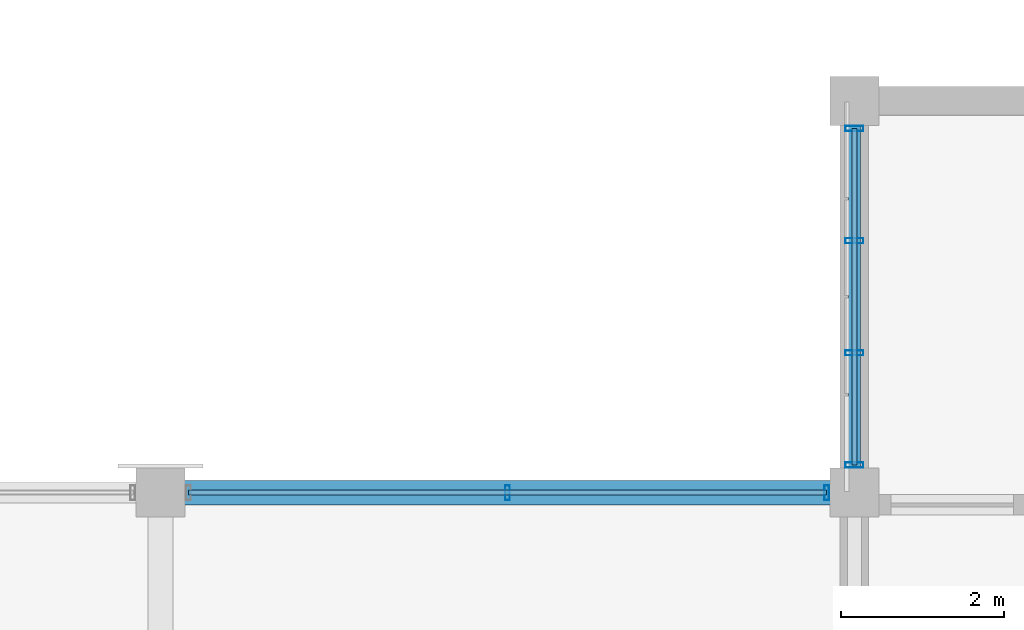
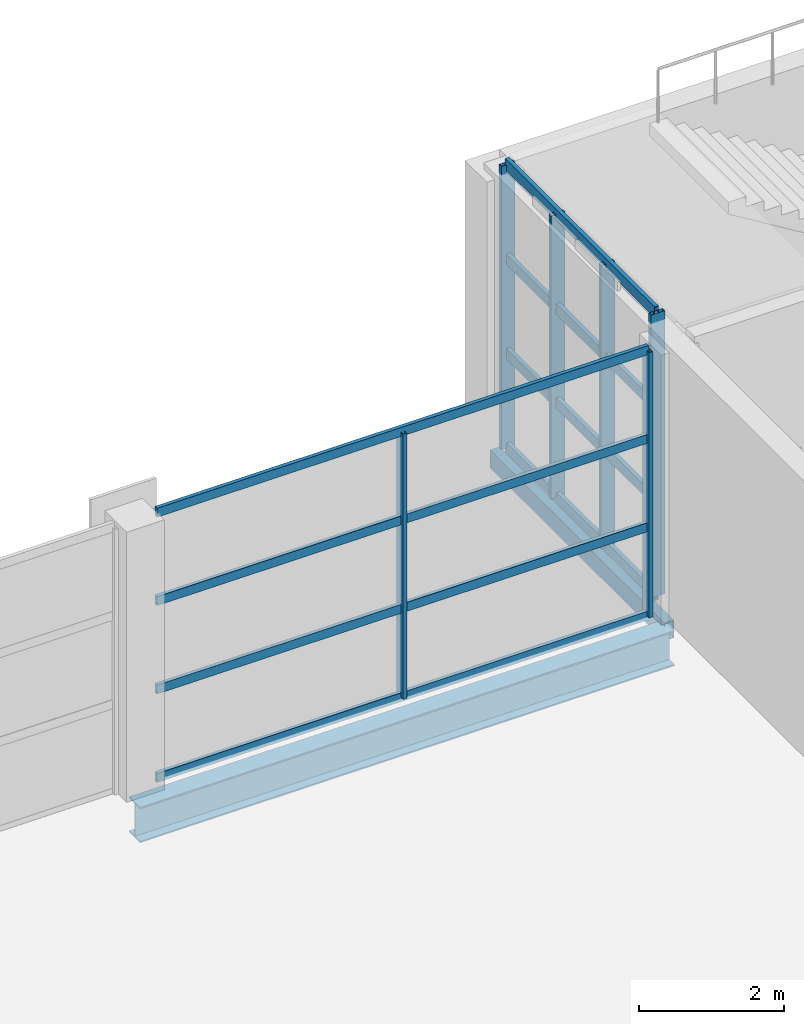
# One storey, part 17 of 46: 14 members, 2 beams, 2 elements without a shape of their own.
"""IFC4 building model written with IfcOpenShell, lengths in metres."""

from ifc_helpers import new_model, si_unit, direction, frame, origin, origin_2d, place, context, subcontext, project, spatial, hollow_rectangle, i_section, extrude, material, material_profile, profile_set, type_object, element, aggregate, save


model = new_model("IFC4")

# Units and contexts
model_context = context("Model", 3, precision=1e-05, world=origin(), true_north=direction((0.0, 1.0)))
body_context = subcontext(model_context, "Body", "Model", "MODEL_VIEW")
ifc_project = project(units=[si_unit("LENGTHUNIT", "METRE"), si_unit("AREAUNIT", "SQUARE_METRE"), si_unit("VOLUMEUNIT", "CUBIC_METRE"), si_unit("PLANEANGLEUNIT", "RADIAN"), si_unit("MASSUNIT", "GRAM", prefix="KILO")], contexts=[model_context])

# Site, building, storey
site_placement = place(None, origin())
site = spatial("IfcSite", under=ifc_project, at=site_placement, CompositionType="ELEMENT")
building_placement = place(site_placement, origin())
building = spatial("IfcBuilding", under=site, at=building_placement, Name="Solvikara Media Centre", CompositionType="ELEMENT")
storey_placement = place(building_placement, frame((0.0, 0.0, 24.60009765625)))
storey = spatial("IfcBuildingStorey", under=building, at=storey_placement, Name="L05", CompositionType="ELEMENT", Elevation=24.60009765625)

# Beams
ifc_material_1 = material(Name="Steel S355JR", Category="steel")
ifc_material_profile_1 = material_profile(ifc_material_1, hollow_rectangle(XDim=0.14990234375, YDim=0.300048828125, WallThickness=0.010009765625, at=origin_2d()), Name="RHS 300x150x10")
ifc_profile_set_1 = profile_set([ifc_material_profile_1], Name="Steel S355JR")
beam_type_1 = type_object("IfcBeamType", Name="BM-35", PredefinedType="BEAM", material=ifc_profile_set_1)
beam_1_placement = place(storey_placement, frame((68.0, 32.0, -0.3720703125), z_axis=(0.0, 1.0, 0.0), x_axis=(-1.0, 0.0, 0.0)))
element("IfcBeam", 1, at=beam_1_placement, inside=storey, type_object=beam_type_1, Name="B-L05-Y1667", PredefinedType="BEAM", context=body_context, shape_type="SweptSolid", body=[
    extrude(hollow_rectangle(XDim=0.14990234375, YDim=0.300048828125, WallThickness=0.010009765625, at=origin_2d()), origin(), (0.0, 0.0, 1.0), 4.800048828125),
])
ifc_material_profile_2 = material_profile(ifc_material_1, i_section(OverallWidth=0.302001953125, OverallDepth=0.593994140625, WebThickness=0.013916015625, FlangeThickness=0.02294921875, at=origin_2d()), Name="H 594x302x14x23")
ifc_profile_set_2 = profile_set([ifc_material_profile_2], Name="Steel S355JR")
beam_type_2 = type_object("IfcBeamType", Name="BM-41", PredefinedType="BEAM", material=ifc_profile_set_2)
beam_2_placement = place(storey_placement, frame((59.5, 32.0, -0.5791015625), z_axis=(1.0, 0.0, 0.0), x_axis=(0.0, 1.0, 0.0)))
element("IfcBeam", 2, at=beam_2_placement, inside=storey, type_object=beam_type_2, Name="B-L05-X1649", PredefinedType="BEAM", context=body_context, shape_type="SweptSolid", body=[
    extrude(i_section(OverallWidth=0.302001953125, OverallDepth=0.593994140625, WebThickness=0.013916015625, FlangeThickness=0.02294921875, at=origin_2d()), origin(), (0.0, 0.0, 1.0), 8.5),
])

# Curtain wall, members
ifc_material_2 = material(Name="Anodised aluminium EN AW-6063", Category="aluminium")
curtain_wall_type_1 = type_object("IfcCurtainWallType", Name="CW-10", PredefinedType="NOTDEFINED", material=ifc_material_2)
curtain_wall_1_placement = place(storey_placement, origin())
curtain_wall_1 = element("IfcCurtainWall", 3, at=curtain_wall_1_placement, inside=storey, type_object=curtain_wall_type_1, Name="CW-L05-BHWN", PredefinedType="NOTDEFINED")
ifc_material_profile_3 = material_profile(ifc_material_2, hollow_rectangle(XDim=0.06494140625, YDim=0.219970703125, WallThickness=0.00390625, at=origin_2d()), Name="ALU-M 65x220x4")
ifc_profile_set_3 = profile_set([ifc_material_profile_3], Name="Anodised aluminium EN AW-6063")
member_type_1 = type_object("IfcMemberType", Name="MF-01", PredefinedType="MULLION", material=ifc_profile_set_3)
member_1_placement = place(storey_placement, frame((68.0, 32.340087890625, 0.02001953125), z_axis=(0.0, 0.0, 1.0), x_axis=(0.0, 1.0, 0.0)))
member_1 = element("IfcMember", 4, at=member_1_placement, type_object=member_type_1, Name="CW-L05-BHWN-M00", PredefinedType="MULLION", context=body_context, shape_type="SweptSolid", body=[
    extrude(hollow_rectangle(XDim=0.06494140625, YDim=0.219970703125, WallThickness=0.00390625, at=origin_2d()), origin(), (0.0, 0.0, 1.0), 4.759765625),
])
member_2_placement = place(storey_placement, frame((68.0, 33.712890625, 0.02001953125), z_axis=(0.0, 0.0, 1.0), x_axis=(0.0, 1.0, 0.0)))
member_2 = element("IfcMember", 5, at=member_2_placement, type_object=member_type_1, Name="CW-L05-BHWN-M01", PredefinedType="MULLION", context=body_context, shape_type="SweptSolid", body=[
    extrude(hollow_rectangle(XDim=0.06494140625, YDim=0.219970703125, WallThickness=0.00390625, at=origin_2d()), origin(), (0.0, 0.0, 1.0), 4.759765625),
])
member_3_placement = place(storey_placement, frame((68.0, 35.0869140625, 0.02001953125), z_axis=(0.0, 0.0, 1.0), x_axis=(0.0, 1.0, 0.0)))
member_3 = element("IfcMember", 6, at=member_3_placement, type_object=member_type_1, Name="CW-L05-BHWN-M02", PredefinedType="MULLION", context=body_context, shape_type="SweptSolid", body=[
    extrude(hollow_rectangle(XDim=0.06494140625, YDim=0.219970703125, WallThickness=0.00390625, at=origin_2d()), origin(), (0.0, 0.0, 1.0), 4.759765625),
])
member_4_placement = place(storey_placement, frame((68.0, 36.4599609375, 0.02001953125), z_axis=(0.0, 0.0, 1.0), x_axis=(0.0, 1.0, 0.0)))
member_4 = element("IfcMember", 7, at=member_4_placement, type_object=member_type_1, Name="CW-L05-BHWN-M03", PredefinedType="MULLION", context=body_context, shape_type="SweptSolid", body=[
    extrude(hollow_rectangle(XDim=0.06494140625, YDim=0.219970703125, WallThickness=0.00390625, at=origin_2d()), origin(), (0.0, 0.0, 1.0), 4.759765625),
])

curtain_wall_type_2 = type_object("IfcCurtainWallType", Name="CW-09", PredefinedType="NOTDEFINED", material=ifc_material_2)
curtain_wall_2_placement = place(storey_placement, origin())
curtain_wall_2 = element("IfcCurtainWall", 8, at=curtain_wall_2_placement, inside=storey, type_object=curtain_wall_type_2, Name="CW-L05-V6N-S3", PredefinedType="NOTDEFINED")
ifc_material_profile_4 = material_profile(ifc_material_2, hollow_rectangle(XDim=0.06005859375, YDim=0.179931640625, WallThickness=0.00341796875, at=origin_2d()), Name="ALU-M 60x180x3.5")
ifc_profile_set_4 = profile_set([ifc_material_profile_4], Name="Anodised aluminium EN AW-6063")
member_type_2 = type_object("IfcMemberType", Name="MF-03", PredefinedType="MULLION", material=ifc_profile_set_4)
member_5_placement = place(storey_placement, frame((63.75, 32.0, 0.02001953125), z_axis=(0.0, 0.0, 1.0), x_axis=(1.0, 0.0, 0.0)))
member_5 = element("IfcMember", 9, at=member_5_placement, type_object=member_type_2, Name="CW-L05-V6N-S3-M01", PredefinedType="MULLION", context=body_context, shape_type="SweptSolid", body=[
    extrude(hollow_rectangle(XDim=0.06005859375, YDim=0.179931640625, WallThickness=0.00341796875, at=origin_2d()), origin(), (0.0, 0.0, 1.0), 4.4599609375),
])
member_6_placement = place(storey_placement, frame((67.659912109375, 32.0, 0.02001953125), z_axis=(0.0, 0.0, 1.0), x_axis=(1.0, 0.0, 0.0)))
member_6 = element("IfcMember", 10, at=member_6_placement, type_object=member_type_2, Name="CW-L05-V6N-S3-M02", PredefinedType="MULLION", context=body_context, shape_type="SweptSolid", body=[
    extrude(hollow_rectangle(XDim=0.06005859375, YDim=0.179931640625, WallThickness=0.00341796875, at=origin_2d()), origin(), (0.0, 0.0, 1.0), 4.4599609375),
])

# Member
ifc_material_profile_5 = material_profile(ifc_material_2, hollow_rectangle(XDim=0.06494140625, YDim=0.179931640625, WallThickness=0.00341796875, at=origin_2d()), Name="ALU-T 65x180x3.5")
ifc_profile_set_5 = profile_set([ifc_material_profile_5], Name="Anodised aluminium EN AW-6063")
member_type_3 = type_object("IfcMemberType", Name="MF-07", PredefinedType="USERDEFINED", material=ifc_profile_set_5)
member_7_placement = place(storey_placement, frame((68.0, 32.340087890625, 0.02001953125), z_axis=(0.0, 1.0, 0.0), x_axis=(-1.0, 0.0, 0.0)))
member_7 = element("IfcMember", 11, at=member_7_placement, type_object=member_type_3, Name="CW-L05-BHWN-T00", ObjectType="TRANSOM", PredefinedType="USERDEFINED", context=body_context, shape_type="SweptSolid", body=[
    extrude(hollow_rectangle(XDim=0.06494140625, YDim=0.179931640625, WallThickness=0.00341796875, at=origin_2d()), origin(), (0.0, 0.0, 1.0), 4.119873046875),
])

member_8_placement = place(storey_placement, frame((68.0, 32.340087890625, 1.60693359375), z_axis=(0.0, 1.0, 0.0), x_axis=(-1.0, 0.0, 0.0)))
member_8 = element("IfcMember", 12, at=member_8_placement, type_object=member_type_3, Name="CW-L05-BHWN-T01", ObjectType="TRANSOM", PredefinedType="USERDEFINED", context=body_context, shape_type="SweptSolid", body=[
    extrude(hollow_rectangle(XDim=0.06494140625, YDim=0.179931640625, WallThickness=0.00341796875, at=origin_2d()), origin(), (0.0, 0.0, 1.0), 4.119873046875),
])

member_9_placement = place(storey_placement, frame((68.0, 32.340087890625, 3.19287109375), z_axis=(0.0, 1.0, 0.0), x_axis=(-1.0, 0.0, 0.0)))
member_9 = element("IfcMember", 13, at=member_9_placement, type_object=member_type_3, Name="CW-L05-BHWN-T02", ObjectType="TRANSOM", PredefinedType="USERDEFINED", context=body_context, shape_type="SweptSolid", body=[
    extrude(hollow_rectangle(XDim=0.06494140625, YDim=0.179931640625, WallThickness=0.00341796875, at=origin_2d()), origin(), (0.0, 0.0, 1.0), 4.119873046875),
])

member_10_placement = place(storey_placement, frame((68.0, 32.340087890625, 4.77978515625), z_axis=(0.0, 1.0, 0.0), x_axis=(-1.0, 0.0, 0.0)))
member_10 = element("IfcMember", 14, at=member_10_placement, type_object=member_type_3, Name="CW-L05-BHWN-T03", ObjectType="TRANSOM", PredefinedType="USERDEFINED", context=body_context, shape_type="SweptSolid", body=[
    extrude(hollow_rectangle(XDim=0.06494140625, YDim=0.179931640625, WallThickness=0.00341796875, at=origin_2d()), origin(), (0.0, 0.0, 1.0), 4.119873046875),
])

aggregate(curtain_wall_1, [member_1, member_2, member_3, member_4, member_7, member_8, member_9, member_10])

ifc_material_profile_6 = material_profile(ifc_material_2, hollow_rectangle(XDim=0.06005859375, YDim=0.14990234375, WallThickness=0.0029296875, at=origin_2d()), Name="ALU-T 60x150x3")
ifc_profile_set_6 = profile_set([ifc_material_profile_6], Name="Anodised aluminium EN AW-6063")
member_type_4 = type_object("IfcMemberType", Name="MF-09", PredefinedType="USERDEFINED", material=ifc_profile_set_6)
member_11_placement = place(storey_placement, frame((59.840087890625, 32.0, 0.02001953125), z_axis=(1.0, 0.0, 0.0), x_axis=(0.0, 1.0, 0.0)))
member_11 = element("IfcMember", 15, at=member_11_placement, type_object=member_type_4, Name="CW-L05-V6N-S3-T00", ObjectType="TRANSOM", PredefinedType="USERDEFINED", context=body_context, shape_type="SweptSolid", body=[
    extrude(hollow_rectangle(XDim=0.06005859375, YDim=0.14990234375, WallThickness=0.0029296875, at=origin_2d()), origin(), (0.0, 0.0, 1.0), 7.81982421875),
])

member_12_placement = place(storey_placement, frame((59.840087890625, 32.0, 1.5068359375), z_axis=(1.0, 0.0, 0.0), x_axis=(0.0, 1.0, 0.0)))
member_12 = element("IfcMember", 16, at=member_12_placement, type_object=member_type_4, Name="CW-L05-V6N-S3-T01", ObjectType="TRANSOM", PredefinedType="USERDEFINED", context=body_context, shape_type="SweptSolid", body=[
    extrude(hollow_rectangle(XDim=0.06005859375, YDim=0.14990234375, WallThickness=0.0029296875, at=origin_2d()), origin(), (0.0, 0.0, 1.0), 7.81982421875),
])

member_13_placement = place(storey_placement, frame((59.840087890625, 32.0, 2.992919921875), z_axis=(1.0, 0.0, 0.0), x_axis=(0.0, 1.0, 0.0)))
member_13 = element("IfcMember", 17, at=member_13_placement, type_object=member_type_4, Name="CW-L05-V6N-S3-T02", ObjectType="TRANSOM", PredefinedType="USERDEFINED", context=body_context, shape_type="SweptSolid", body=[
    extrude(hollow_rectangle(XDim=0.06005859375, YDim=0.14990234375, WallThickness=0.0029296875, at=origin_2d()), origin(), (0.0, 0.0, 1.0), 7.81982421875),
])

member_14_placement = place(storey_placement, frame((59.840087890625, 32.0, 4.47998046875), z_axis=(1.0, 0.0, 0.0), x_axis=(0.0, 1.0, 0.0)))
member_14 = element("IfcMember", 18, at=member_14_placement, type_object=member_type_4, Name="CW-L05-V6N-S3-T03", ObjectType="TRANSOM", PredefinedType="USERDEFINED", context=body_context, shape_type="SweptSolid", body=[
    extrude(hollow_rectangle(XDim=0.06005859375, YDim=0.14990234375, WallThickness=0.0029296875, at=origin_2d()), origin(), (0.0, 0.0, 1.0), 7.81982421875),
])

aggregate(curtain_wall_2, [member_5, member_6, member_11, member_12, member_13, member_14])

save(model, "model.ifc")
